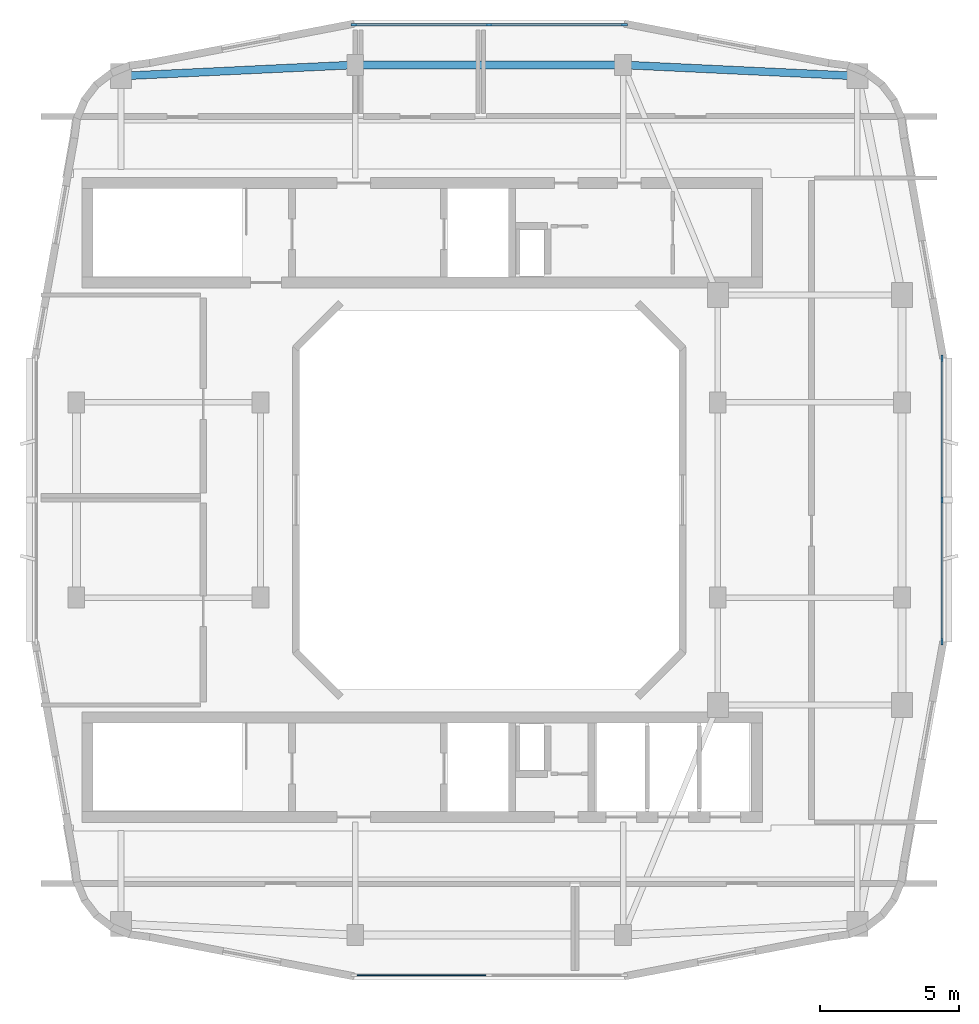
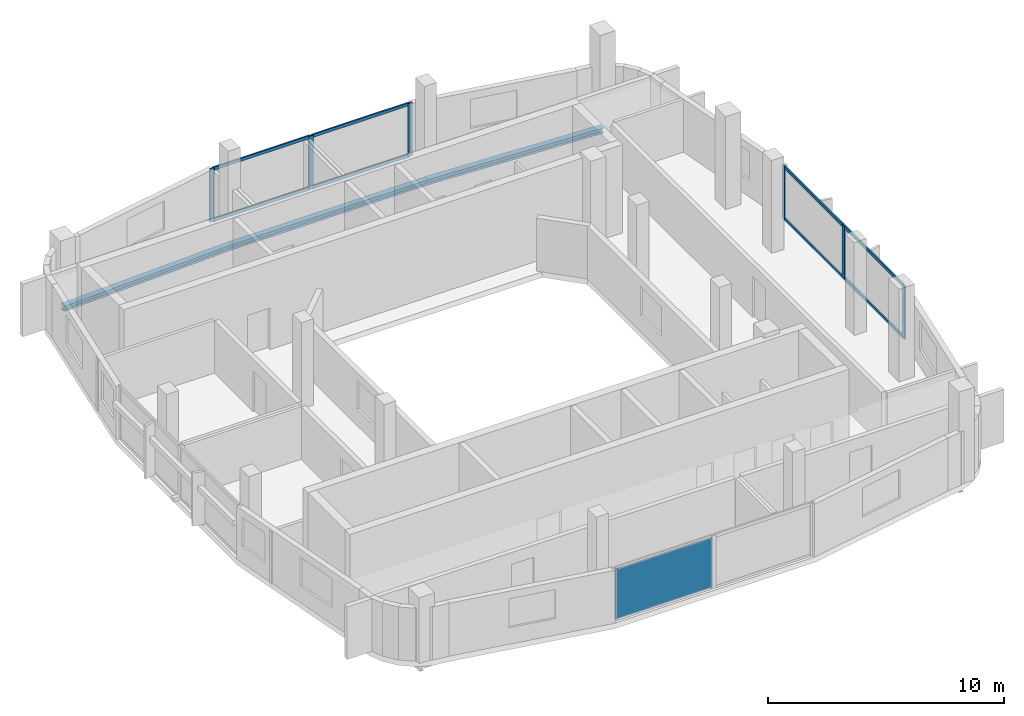
# One storey, part 2 of 6: 14 members, 3 beams, 1 plate, 3 elements without a shape of their own.
"""IFC4 building model written with IfcOpenShell, lengths in metres."""

from ifc_helpers import new_model, si_unit, derived_unit, direction, frame, origin, origin_2d, place, context, subcontext, project, spatial, rectangle, i_section, extrude, material, layer, layer_set, material_profile, profile_set, type_object, element, aggregate, save


model = new_model("IFC4")

# Units and contexts
model_context = context("Model", 3, precision=1e-05, world=origin(), true_north=direction((0.0, 1.0)))
body_context = subcontext(model_context, "Body", "Model", "MODEL_VIEW")
ifc_project = project(units=[si_unit("LENGTHUNIT", "METRE"), si_unit("AREAUNIT", "SQUARE_METRE"), si_unit("VOLUMEUNIT", "CUBIC_METRE"), si_unit("PLANEANGLEUNIT", "RADIAN"), si_unit("MASSUNIT", "GRAM", prefix="KILO"), derived_unit("THERMALTRANSMITTANCEUNIT", [(si_unit("POWERUNIT", "WATT"), 1), (si_unit("LENGTHUNIT", "METRE"), -2), (si_unit("THERMODYNAMICTEMPERATUREUNIT", "KELVIN"), -1)])], contexts=[model_context])

# Site, building, storey
site_placement = place(None, origin())
site = spatial("IfcSite", under=ifc_project, at=site_placement, CompositionType="ELEMENT")
building_placement = place(site_placement, origin())
building = spatial("IfcBuilding", under=site, at=building_placement, Name="Kivonza Crest Hotel", CompositionType="ELEMENT")
storey_placement = place(building_placement, frame((0.0, 0.0, 272.0)))
storey = spatial("IfcBuildingStorey", under=building, at=storey_placement, Name="L74", CompositionType="ELEMENT", Elevation=272.0)

# Beams
ifc_material_1 = material(Name="Steel S355", Category="steel")
ifc_material_profile_1 = material_profile(ifc_material_1, i_section(OverallWidth=0.280029296875, OverallDepth=0.280029296875, WebThickness=0.010498046875, FlangeThickness=0.01806640625, FilletRadius=0.02392578125, at=origin_2d()), Name="HEB 280")
ifc_profile_set_1 = profile_set([ifc_material_profile_1], Name="Steel S355")
beam_type = type_object("IfcBeamType", Name="BM-HEB280", PredefinedType="SPANDREL", material=ifc_profile_set_1)
beam_1_placement = place(storey_placement, frame((34.199951171875, 40.199951171875, -0.419921875), z_axis=(-0.998867283688, 0.047583080799, 0.0), x_axis=(-0.047583080799, -0.998867283688, 0.0)))
element("IfcBeam", 1, at=beam_1_placement, inside=storey, type_object=beam_type, Name="Tower T1 L74 perimeter spandrel NE-N2", PredefinedType="SPANDREL", context=body_context, shape_type="SweptSolid", body=[
    extrude(i_section(OverallWidth=0.280029296875, OverallDepth=0.280029296875, WebThickness=0.010498046875, FlangeThickness=0.01806640625, FilletRadius=0.02392578125, at=origin_2d()), origin(), (0.0, 0.0, 1.0), 8.409423828125),
])
beam_2_placement = place(storey_placement, frame((25.800048828125, 40.60009765625, -0.419921875), z_axis=(-1.0, 0.0, 0.0), x_axis=(0.0, -1.0, 0.0)))
element("IfcBeam", 2, at=beam_2_placement, inside=storey, type_object=beam_type, Name="Tower T1 L74 perimeter spandrel N2-N1", PredefinedType="SPANDREL", context=body_context, shape_type="SweptSolid", body=[
    extrude(i_section(OverallWidth=0.280029296875, OverallDepth=0.280029296875, WebThickness=0.010498046875, FlangeThickness=0.01806640625, FilletRadius=0.02392578125, at=origin_2d()), origin(), (0.0, 0.0, 1.0), 9.60009765625),
])
beam_3_placement = place(storey_placement, frame((16.199951171875, 40.60009765625, -0.419921875), z_axis=(-0.998867283688, -0.047583080799, 0.0), x_axis=(0.047583080799, -0.998867283688, 0.0)))
element("IfcBeam", 3, at=beam_3_placement, inside=storey, type_object=beam_type, Name="Tower T1 L74 perimeter spandrel N1-NW", PredefinedType="SPANDREL", context=body_context, shape_type="SweptSolid", body=[
    extrude(i_section(OverallWidth=0.280029296875, OverallDepth=0.280029296875, WebThickness=0.010498046875, FlangeThickness=0.01806640625, FilletRadius=0.02392578125, at=origin_2d()), origin(), (0.0, 0.0, 1.0), 8.409423828125),
])

# Curtain wall, members
ifc_material_2 = material(Name="Anodised bronze aluminium and low-E double glazing", Category="aluminium")
ifc_layer_1 = layer(ifc_material_2, 0.199951171875)
ifc_layer_set_1 = layer_set([ifc_layer_1], Name="Anodised bronze aluminium and low-E double glazing")
curtain_wall_type = type_object("IfcCurtainWallType", Name="CW-SYS-6", PredefinedType="NOTDEFINED", material=ifc_layer_set_1)
curtain_wall_1_placement = place(storey_placement, origin())
curtain_wall_1 = element("IfcCurtainWall", 4, at=curtain_wall_1_placement, inside=storey, type_object=curtain_wall_type, Name="L74 unitised curtain wall CW-T1-L74-17", PredefinedType="NOTDEFINED")
ifc_material_3 = material(Name="Anodised bronze aluminium", Category="aluminium")
ifc_material_profile_2 = material_profile(ifc_material_3, rectangle(XDim=0.074951171875, YDim=0.219970703125, at=origin_2d()), Name="CW-M 75x220")
ifc_profile_set_2 = profile_set([ifc_material_profile_2], Name="Anodised bronze aluminium")
member_type_1 = type_object("IfcMemberType", Name="CW-MUL-75x220", PredefinedType="MULLION", material=ifc_profile_set_2)
member_1_placement = place(storey_placement, frame((37.239990234375, 19.91748046875, 0.0), z_axis=(0.0, 0.0, 1.0), x_axis=(-1.0, 0.0, 0.0)))
member_1 = element("IfcMember", 5, at=member_1_placement, type_object=member_type_1, Name="CW-6 mullion 1", PredefinedType="MULLION", context=body_context, shape_type="SweptSolid", body=[
    extrude(rectangle(XDim=0.074951171875, YDim=0.219970703125, at=origin_2d()), origin(), (0.0, 0.0, 1.0), 2.739990234375),
])
member_2_placement = place(storey_placement, frame((37.239990234375, 25.0, 0.0), z_axis=(0.0, 0.0, 1.0), x_axis=(-1.0, 0.0, 0.0)))
member_2 = element("IfcMember", 6, at=member_2_placement, type_object=member_type_1, Name="CW-6 mullion 2", PredefinedType="MULLION", context=body_context, shape_type="SweptSolid", body=[
    extrude(rectangle(XDim=0.074951171875, YDim=0.219970703125, at=origin_2d()), origin(), (0.0, 0.0, 1.0), 2.739990234375),
])
member_3_placement = place(storey_placement, frame((37.239990234375, 30.08251953125, 0.0), z_axis=(0.0, 0.0, 1.0), x_axis=(-1.0, 0.0, 0.0)))
member_3 = element("IfcMember", 7, at=member_3_placement, type_object=member_type_1, Name="CW-6 mullion 3", PredefinedType="MULLION", context=body_context, shape_type="SweptSolid", body=[
    extrude(rectangle(XDim=0.074951171875, YDim=0.219970703125, at=origin_2d()), origin(), (0.0, 0.0, 1.0), 2.739990234375),
])

curtain_wall_2_placement = place(storey_placement, origin())
curtain_wall_2 = element("IfcCurtainWall", 8, at=curtain_wall_2_placement, inside=storey, type_object=curtain_wall_type, Name="L74 unitised curtain wall CW-T1-L74-26", PredefinedType="NOTDEFINED")
member_4_placement = place(storey_placement, frame((25.842529296875, 42.0400390625, 0.0), z_axis=(0.0, 0.0, 1.0), x_axis=(0.0, -1.0, 0.0)))
member_4 = element("IfcMember", 9, at=member_4_placement, type_object=member_type_1, Name="CW-6 mullion 1", PredefinedType="MULLION", context=body_context, shape_type="SweptSolid", body=[
    extrude(rectangle(XDim=0.074951171875, YDim=0.219970703125, at=origin_2d()), origin(), (0.0, 0.0, 1.0), 2.739990234375),
])
member_5_placement = place(storey_placement, frame((21.0, 42.0400390625, 0.0), z_axis=(0.0, 0.0, 1.0), x_axis=(0.0, -1.0, 0.0)))
member_5 = element("IfcMember", 10, at=member_5_placement, type_object=member_type_1, Name="CW-6 mullion 2", PredefinedType="MULLION", context=body_context, shape_type="SweptSolid", body=[
    extrude(rectangle(XDim=0.074951171875, YDim=0.219970703125, at=origin_2d()), origin(), (0.0, 0.0, 1.0), 2.739990234375),
])
member_6_placement = place(storey_placement, frame((16.157470703125, 42.0400390625, 0.0), z_axis=(0.0, 0.0, 1.0), x_axis=(0.0, -1.0, 0.0)))
member_6 = element("IfcMember", 11, at=member_6_placement, type_object=member_type_1, Name="CW-6 mullion 3", PredefinedType="MULLION", context=body_context, shape_type="SweptSolid", body=[
    extrude(rectangle(XDim=0.074951171875, YDim=0.219970703125, at=origin_2d()), origin(), (0.0, 0.0, 1.0), 2.739990234375),
])

# Member
ifc_material_profile_3 = material_profile(ifc_material_3, rectangle(XDim=0.074951171875, YDim=0.159912109375, at=origin_2d()), Name="CW-T 75x160")
ifc_profile_set_3 = profile_set([ifc_material_profile_3], Name="Anodised bronze aluminium")
member_type_2 = type_object("IfcMemberType", Name="CW-TRN-75x160", PredefinedType="USERDEFINED", material=ifc_profile_set_3)
member_7_placement = place(storey_placement, frame((37.239990234375, 19.955078125, 0.03759765625), z_axis=(0.0, 1.0, 0.0), x_axis=(-1.0, 0.0, 0.0)))
member_7 = element("IfcMember", 12, at=member_7_placement, type_object=member_type_2, Name="CW-6 transom 1.1", ObjectType="TRANSOM", PredefinedType="USERDEFINED", context=body_context, shape_type="SweptSolid", body=[
    extrude(rectangle(XDim=0.074951171875, YDim=0.159912109375, at=origin_2d()), origin(), (0.0, 0.0, 1.0), 5.00732421875),
])

member_8_placement = place(storey_placement, frame((37.239990234375, 19.955078125, 2.702392578125), z_axis=(0.0, 1.0, 0.0), x_axis=(-1.0, 0.0, 0.0)))
member_8 = element("IfcMember", 13, at=member_8_placement, type_object=member_type_2, Name="CW-6 transom 1.2", ObjectType="TRANSOM", PredefinedType="USERDEFINED", context=body_context, shape_type="SweptSolid", body=[
    extrude(rectangle(XDim=0.074951171875, YDim=0.159912109375, at=origin_2d()), origin(), (0.0, 0.0, 1.0), 5.00732421875),
])

member_9_placement = place(storey_placement, frame((37.239990234375, 25.03759765625, 0.03759765625), z_axis=(0.0, 1.0, 0.0), x_axis=(-1.0, 0.0, 0.0)))
member_9 = element("IfcMember", 14, at=member_9_placement, type_object=member_type_2, Name="CW-6 transom 2.1", ObjectType="TRANSOM", PredefinedType="USERDEFINED", context=body_context, shape_type="SweptSolid", body=[
    extrude(rectangle(XDim=0.074951171875, YDim=0.159912109375, at=origin_2d()), origin(), (0.0, 0.0, 1.0), 5.00732421875),
])

member_10_placement = place(storey_placement, frame((37.239990234375, 25.03759765625, 2.702392578125), z_axis=(0.0, 1.0, 0.0), x_axis=(-1.0, 0.0, 0.0)))
member_10 = element("IfcMember", 15, at=member_10_placement, type_object=member_type_2, Name="CW-6 transom 2.2", ObjectType="TRANSOM", PredefinedType="USERDEFINED", context=body_context, shape_type="SweptSolid", body=[
    extrude(rectangle(XDim=0.074951171875, YDim=0.159912109375, at=origin_2d()), origin(), (0.0, 0.0, 1.0), 5.00732421875),
])

aggregate(curtain_wall_1, [member_1, member_2, member_3, member_7, member_8, member_9, member_10])

member_11_placement = place(storey_placement, frame((25.804931640625, 42.0400390625, 0.03759765625), z_axis=(-1.0, 0.0, 0.0), x_axis=(0.0, -1.0, 0.0)))
member_11 = element("IfcMember", 16, at=member_11_placement, type_object=member_type_2, Name="CW-6 transom 1.1", ObjectType="TRANSOM", PredefinedType="USERDEFINED", context=body_context, shape_type="SweptSolid", body=[
    extrude(rectangle(XDim=0.074951171875, YDim=0.159912109375, at=origin_2d()), origin(), (0.0, 0.0, 1.0), 4.767333984375),
])

member_12_placement = place(storey_placement, frame((25.804931640625, 42.0400390625, 2.702392578125), z_axis=(-1.0, 0.0, 0.0), x_axis=(0.0, -1.0, 0.0)))
member_12 = element("IfcMember", 17, at=member_12_placement, type_object=member_type_2, Name="CW-6 transom 1.2", ObjectType="TRANSOM", PredefinedType="USERDEFINED", context=body_context, shape_type="SweptSolid", body=[
    extrude(rectangle(XDim=0.074951171875, YDim=0.159912109375, at=origin_2d()), origin(), (0.0, 0.0, 1.0), 4.767333984375),
])

member_13_placement = place(storey_placement, frame((20.96240234375, 42.0400390625, 0.03759765625), z_axis=(-1.0, 0.0, 0.0), x_axis=(0.0, -1.0, 0.0)))
member_13 = element("IfcMember", 18, at=member_13_placement, type_object=member_type_2, Name="CW-6 transom 2.1", ObjectType="TRANSOM", PredefinedType="USERDEFINED", context=body_context, shape_type="SweptSolid", body=[
    extrude(rectangle(XDim=0.074951171875, YDim=0.159912109375, at=origin_2d()), origin(), (0.0, 0.0, 1.0), 4.767333984375),
])

member_14_placement = place(storey_placement, frame((20.96240234375, 42.0400390625, 2.702392578125), z_axis=(-1.0, 0.0, 0.0), x_axis=(0.0, -1.0, 0.0)))
member_14 = element("IfcMember", 19, at=member_14_placement, type_object=member_type_2, Name="CW-6 transom 2.2", ObjectType="TRANSOM", PredefinedType="USERDEFINED", context=body_context, shape_type="SweptSolid", body=[
    extrude(rectangle(XDim=0.074951171875, YDim=0.159912109375, at=origin_2d()), origin(), (0.0, 0.0, 1.0), 4.767333984375),
])

aggregate(curtain_wall_2, [member_4, member_5, member_6, member_11, member_12, member_13, member_14])

# Curtain wall, plate
curtain_wall_3_placement = place(storey_placement, origin())
curtain_wall_3 = element("IfcCurtainWall", 20, at=curtain_wall_3_placement, inside=storey, type_object=curtain_wall_type, Name="L74 unitised curtain wall CW-T1-L74-08", PredefinedType="NOTDEFINED")
ifc_material_4 = material(Name="Acoustic triple-laminated low-E glazing", Category="glass")
ifc_layer_2 = layer(ifc_material_4, 0.035888671875)
ifc_layer_set_2 = layer_set([ifc_layer_2], Name="Acoustic triple-laminated low-E glazing")
plate_type = type_object("IfcPlateType", Name="CW-PNL-36", PredefinedType="CURTAIN_PANEL", material=ifc_layer_set_2)
plate_placement = place(storey_placement, frame((18.578857421875, 7.9599609375, 0.0751953125), z_axis=(0.0, 0.0, 1.0), x_axis=(1.0, 0.0, 0.0)))
plate = element("IfcPlate", 21, at=plate_placement, type_object=plate_type, Name="CW-6 panel 1.1", PredefinedType="CURTAIN_PANEL", context=body_context, shape_type="SweptSolid", body=[
    extrude(rectangle(XDim=4.767578125, YDim=0.035888671875, at=origin_2d()), origin(), (0.0, 0.0, 1.0), 2.590087890625),
])
aggregate(curtain_wall_3, [plate])

save(model, "model.ifc")
